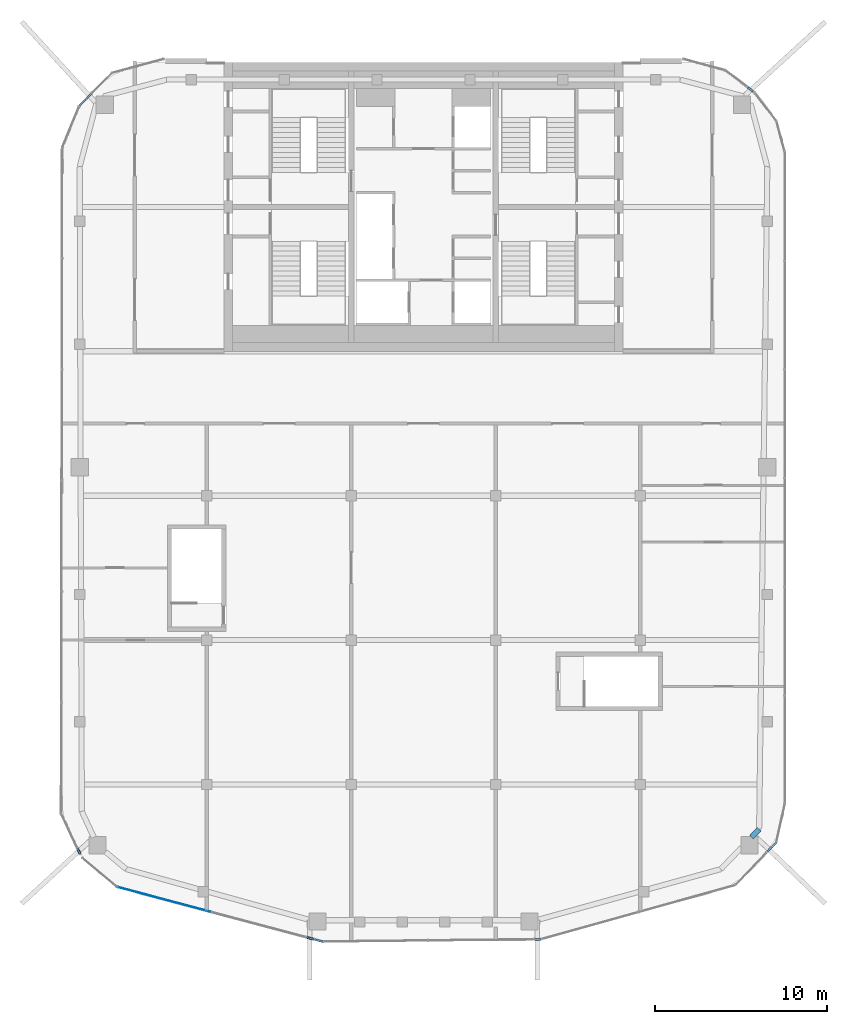
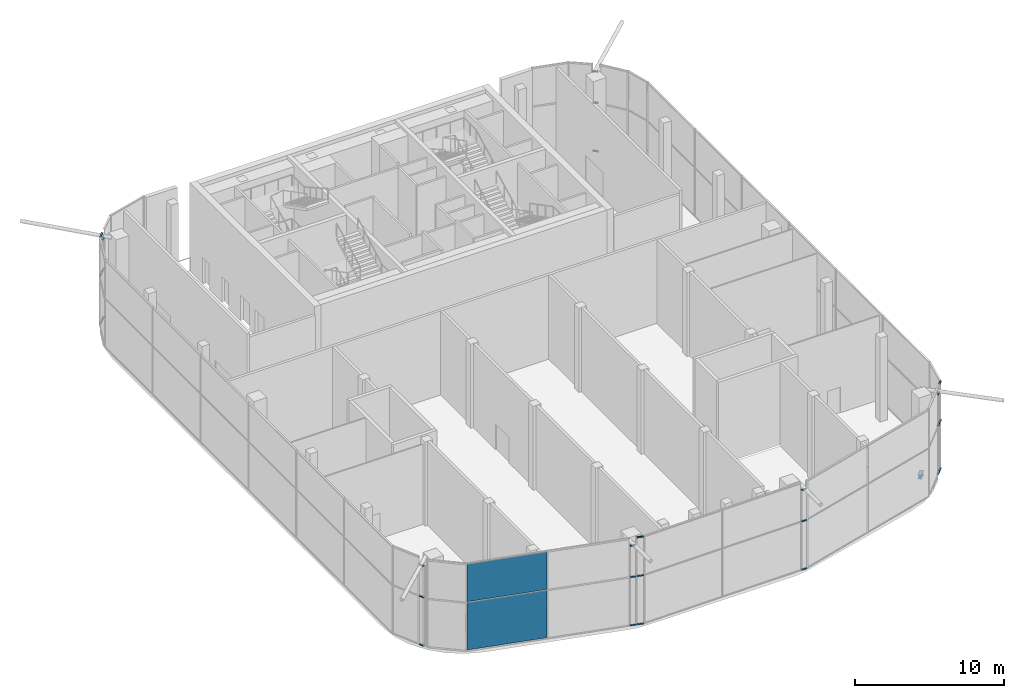
# One storey, part 12 of 23: 27 members, 2 plates, 1 beam, 10 elements without a shape of their own.
"""IFC4 building model written with IfcOpenShell, lengths in metres."""

from ifc_helpers import new_model, si_unit, direction, frame, origin, origin_2d, place, context, subcontext, project, spatial, rectangle, i_section, extrude, material, layer, layer_set, material_profile, profile_set, type_object, element, aggregate, save


model = new_model("IFC4")

# Units and contexts
model_context = context("Model", 3, precision=1e-05, world=origin(), true_north=direction((0.0, 1.0)))
body_context = subcontext(model_context, "Body", "Model", "MODEL_VIEW")
ifc_project = project(units=[si_unit("LENGTHUNIT", "METRE"), si_unit("AREAUNIT", "SQUARE_METRE"), si_unit("VOLUMEUNIT", "CUBIC_METRE"), si_unit("PLANEANGLEUNIT", "RADIAN"), si_unit("MASSUNIT", "GRAM", prefix="KILO")], contexts=[model_context])

# Site, building, storey
site_placement = place(None, origin())
site = spatial("IfcSite", under=ifc_project, at=site_placement, CompositionType="ELEMENT")
building_placement = place(site_placement, origin())
building = spatial("IfcBuilding", under=site, at=building_placement, Name="Marenta Gate Hotel Tower", CompositionType="ELEMENT")
storey_placement = place(building_placement, frame((0.0, 0.0, 288.5)))
storey = spatial("IfcBuildingStorey", under=building, at=storey_placement, Name="L66", CompositionType="ELEMENT", Elevation=288.5)

# Beam
ifc_material_1 = material(Name="Steel S355", Category="steel")
ifc_material_profile_1 = material_profile(ifc_material_1, i_section(OverallWidth=0.300048828125, OverallDepth=0.300048828125, WebThickness=0.010986328125, FlangeThickness=0.01904296875, FilletRadius=0.027099609375, at=origin_2d()), Name="HEB 300")
ifc_profile_set_1 = profile_set([ifc_material_profile_1], Name="Steel S355")
beam_type = type_object("IfcBeamType", Name="Edge beam HEB 300", PredefinedType="SPANDREL", material=ifc_profile_set_1)
beam_placement = place(storey_placement, frame((19.5244140625, -27.798583984375, -0.409912109375), z_axis=(-0.692516004309, -0.721402511623, 0.0), x_axis=(0.721402511623, -0.692516004309, 0.0)))
element("IfcBeam", 1, at=beam_placement, inside=storey, type_object=beam_type, Name="L66-EB-27", PredefinedType="SPANDREL", context=body_context, shape_type="SweptSolid", body=[
    extrude(i_section(OverallWidth=0.300048828125, OverallDepth=0.300048828125, WebThickness=0.010986328125, FlangeThickness=0.01904296875, FilletRadius=0.027099609375, at=origin_2d()), origin(), (0.0, 0.0, 1.0), 0.642333984375),
])

# Curtain wall, members
ifc_material_2 = material(Name="Tinted insulated glass in bronze anodised frame", Category="glass")
ifc_layer_1 = layer(ifc_material_2, 0.1201171875)
ifc_layer_set_1 = layer_set([ifc_layer_1], Name="Tinted insulated glass in bronze anodised frame")
curtain_wall_type = type_object("IfcCurtainWallType", Name="Sky restaurant glazing CW4", PredefinedType="NOTDEFINED", material=ifc_layer_set_1)
curtain_wall_1_placement = place(storey_placement, origin())
curtain_wall_1 = element("IfcCurtainWall", 2, at=curtain_wall_1_placement, inside=storey, type_object=curtain_wall_type, Name="CW4 run G02", PredefinedType="NOTDEFINED")
ifc_material_3 = material(Name="Bronze anodised aluminium", Category="aluminium")
ifc_material_profile_2 = material_profile(ifc_material_3, rectangle(XDim=0.1201171875, YDim=0.070068359375, at=origin_2d()), Name="Transom CW4 70x120 bronze anodised aluminium")
ifc_profile_set_2 = profile_set([ifc_material_profile_2], Name="Bronze anodised aluminium")
member_type = type_object("IfcMemberType", Name="Transom CW4 70x120 bronze anodised aluminium", PredefinedType="USERDEFINED", material=ifc_profile_set_2)
member_1_placement = place(storey_placement, frame((-19.324951171875, 14.97998046875, 0.034912109375), z_axis=(-0.707425082638, -0.706788336389, 0.0), x_axis=(0.706788336389, -0.707425082638, 0.0)))
member_1 = element("IfcMember", 3, at=member_1_placement, type_object=member_type, Name="CW4 transom 1.1", ObjectType="TRANSOM", PredefinedType="USERDEFINED", context=body_context, shape_type="SweptSolid", body=[
    extrude(rectangle(XDim=0.1201171875, YDim=0.070068359375, at=origin_2d()), origin(), (0.0, 0.0, 1.0), 0.38330078125),
])
member_2_placement = place(storey_placement, frame((-19.324951171875, 14.97998046875, 4.0), z_axis=(-0.707425082638, -0.706788336389, 0.0), x_axis=(0.706788336389, -0.707425082638, 0.0)))
member_2 = element("IfcMember", 4, at=member_2_placement, type_object=member_type, Name="CW4 transom 1.2", ObjectType="TRANSOM", PredefinedType="USERDEFINED", context=body_context, shape_type="SweptSolid", body=[
    extrude(rectangle(XDim=0.1201171875, YDim=0.070068359375, at=origin_2d()), origin(), (0.0, 0.0, 1.0), 0.38330078125),
])
member_3_placement = place(storey_placement, frame((-19.324951171875, 14.97998046875, 6.5654296875), z_axis=(-0.707425082638, -0.706788336389, 0.0), x_axis=(0.706788336389, -0.707425082638, 0.0)))
member_3 = element("IfcMember", 5, at=member_3_placement, type_object=member_type, Name="CW4 transom 1.3", ObjectType="TRANSOM", PredefinedType="USERDEFINED", context=body_context, shape_type="SweptSolid", body=[
    extrude(rectangle(XDim=0.1201171875, YDim=0.070068359375, at=origin_2d()), origin(), (0.0, 0.0, 1.0), 0.38330078125),
])
aggregate(curtain_wall_1, [member_1, member_2, member_3])

curtain_wall_2_placement = place(storey_placement, origin())
curtain_wall_2 = element("IfcCurtainWall", 6, at=curtain_wall_2_placement, inside=storey, type_object=curtain_wall_type, Name="CW4 run G03", PredefinedType="NOTDEFINED")
member_4_placement = place(storey_placement, frame((-19.6455078125, 14.659423828125, 0.034912109375), z_axis=(-0.707106781187, -0.707106781187, 0.0), x_axis=(0.707106781187, -0.707106781187, 0.0)))
member_4 = element("IfcMember", 7, at=member_4_placement, type_object=member_type, Name="CW4 transom 1.1", ObjectType="TRANSOM", PredefinedType="USERDEFINED", context=body_context, shape_type="SweptSolid", body=[
    extrude(rectangle(XDim=0.1201171875, YDim=0.070068359375, at=origin_2d()), origin(), (0.0, 0.0, 1.0), 0.506591796875),
])
member_5_placement = place(storey_placement, frame((-19.6455078125, 14.659423828125, 4.0), z_axis=(-0.707106781187, -0.707106781187, 0.0), x_axis=(0.707106781187, -0.707106781187, 0.0)))
member_5 = element("IfcMember", 8, at=member_5_placement, type_object=member_type, Name="CW4 transom 1.2", ObjectType="TRANSOM", PredefinedType="USERDEFINED", context=body_context, shape_type="SweptSolid", body=[
    extrude(rectangle(XDim=0.1201171875, YDim=0.070068359375, at=origin_2d()), origin(), (0.0, 0.0, 1.0), 0.506591796875),
])
member_6_placement = place(storey_placement, frame((-19.6455078125, 14.659423828125, 7.1650390625), z_axis=(-0.707106781187, -0.707106781187, 0.0), x_axis=(0.707106781187, -0.707106781187, 0.0)))
member_6 = element("IfcMember", 9, at=member_6_placement, type_object=member_type, Name="CW4 transom 1.3", ObjectType="TRANSOM", PredefinedType="USERDEFINED", context=body_context, shape_type="SweptSolid", body=[
    extrude(rectangle(XDim=0.1201171875, YDim=0.070068359375, at=origin_2d()), origin(), (0.0, 0.0, 1.0), 0.506591796875),
])
aggregate(curtain_wall_2, [member_4, member_5, member_6])

curtain_wall_3_placement = place(storey_placement, origin())
curtain_wall_3 = element("IfcCurtainWall", 10, at=curtain_wall_3_placement, inside=storey, type_object=curtain_wall_type, Name="CW4 run G07", PredefinedType="NOTDEFINED")
member_7_placement = place(storey_placement, frame((-20.123779296875, -28.92529296875, 0.034912109375), z_axis=(0.423443969067, -0.905922295267, 0.0), x_axis=(0.905922295267, 0.423443969067, 0.0)))
member_7 = element("IfcMember", 11, at=member_7_placement, type_object=member_type, Name="CW4 transom 1.1", ObjectType="TRANSOM", PredefinedType="USERDEFINED", context=body_context, shape_type="SweptSolid", body=[
    extrude(rectangle(XDim=0.1201171875, YDim=0.070068359375, at=origin_2d()), origin(), (0.0, 0.0, 1.0), 0.3349609375),
])
member_8_placement = place(storey_placement, frame((-20.123779296875, -28.92529296875, 4.0), z_axis=(0.423443969067, -0.905922295267, 0.0), x_axis=(0.905922295267, 0.423443969067, 0.0)))
member_8 = element("IfcMember", 12, at=member_8_placement, type_object=member_type, Name="CW4 transom 1.2", ObjectType="TRANSOM", PredefinedType="USERDEFINED", context=body_context, shape_type="SweptSolid", body=[
    extrude(rectangle(XDim=0.1201171875, YDim=0.070068359375, at=origin_2d()), origin(), (0.0, 0.0, 1.0), 0.3349609375),
])
member_9_placement = place(storey_placement, frame((-20.123779296875, -28.92529296875, 6.5654296875), z_axis=(0.423443969067, -0.905922295267, 0.0), x_axis=(0.905922295267, 0.423443969067, 0.0)))
member_9 = element("IfcMember", 13, at=member_9_placement, type_object=member_type, Name="CW4 transom 1.3", ObjectType="TRANSOM", PredefinedType="USERDEFINED", context=body_context, shape_type="SweptSolid", body=[
    extrude(rectangle(XDim=0.1201171875, YDim=0.070068359375, at=origin_2d()), origin(), (0.0, 0.0, 1.0), 0.3349609375),
])
aggregate(curtain_wall_3, [member_7, member_8, member_9])

curtain_wall_4_placement = place(storey_placement, origin())
curtain_wall_4 = element("IfcCurtainWall", 14, at=curtain_wall_4_placement, inside=storey, type_object=curtain_wall_type, Name="CW4 run G10", PredefinedType="NOTDEFINED")
member_10_placement = place(storey_placement, frame((-6.78125, -34.094482421875, 0.034912109375), z_axis=(0.966478016702, -0.256749378251, 0.0), x_axis=(0.256749378251, 0.966478016702, 0.0)))
member_10 = element("IfcMember", 15, at=member_10_placement, type_object=member_type, Name="CW4 transom 1.1", ObjectType="TRANSOM", PredefinedType="USERDEFINED", context=body_context, shape_type="SweptSolid", body=[
    extrude(rectangle(XDim=0.1201171875, YDim=0.070068359375, at=origin_2d()), origin(), (0.0, 0.0, 1.0), 0.3994140625),
])
member_11_placement = place(storey_placement, frame((-6.78125, -34.094482421875, 4.0), z_axis=(0.966478016702, -0.256749378251, 0.0), x_axis=(0.256749378251, 0.966478016702, 0.0)))
member_11 = element("IfcMember", 16, at=member_11_placement, type_object=member_type, Name="CW4 transom 1.2", ObjectType="TRANSOM", PredefinedType="USERDEFINED", context=body_context, shape_type="SweptSolid", body=[
    extrude(rectangle(XDim=0.1201171875, YDim=0.070068359375, at=origin_2d()), origin(), (0.0, 0.0, 1.0), 0.3994140625),
])
member_12_placement = place(storey_placement, frame((-6.78125, -34.094482421875, 6.5654296875), z_axis=(0.966478016702, -0.256749378251, 0.0), x_axis=(0.256749378251, 0.966478016702, 0.0)))
member_12 = element("IfcMember", 17, at=member_12_placement, type_object=member_type, Name="CW4 transom 1.3", ObjectType="TRANSOM", PredefinedType="USERDEFINED", context=body_context, shape_type="SweptSolid", body=[
    extrude(rectangle(XDim=0.1201171875, YDim=0.070068359375, at=origin_2d()), origin(), (0.0, 0.0, 1.0), 0.3994140625),
])
aggregate(curtain_wall_4, [member_10, member_11, member_12])

curtain_wall_5_placement = place(storey_placement, origin())
curtain_wall_5 = element("IfcCurtainWall", 18, at=curtain_wall_5_placement, inside=storey, type_object=curtain_wall_type, Name="CW4 run G11", PredefinedType="NOTDEFINED")
member_13_placement = place(storey_placement, frame((-6.32763671875, -34.215087890625, 0.034912109375), z_axis=(0.966362116965, -0.257185261817, 0.0), x_axis=(0.257185261817, 0.966362116965, 0.0)))
member_13 = element("IfcMember", 19, at=member_13_placement, type_object=member_type, Name="CW4 transom 1.1", ObjectType="TRANSOM", PredefinedType="USERDEFINED", context=body_context, shape_type="SweptSolid", body=[
    extrude(rectangle(XDim=0.1201171875, YDim=0.070068359375, at=origin_2d()), origin(), (0.0, 0.0, 1.0), 0.4775390625),
])
member_14_placement = place(storey_placement, frame((-6.32763671875, -34.215087890625, 4.0), z_axis=(0.966362116965, -0.257185261817, 0.0), x_axis=(0.257185261817, 0.966362116965, 0.0)))
member_14 = element("IfcMember", 20, at=member_14_placement, type_object=member_type, Name="CW4 transom 1.2", ObjectType="TRANSOM", PredefinedType="USERDEFINED", context=body_context, shape_type="SweptSolid", body=[
    extrude(rectangle(XDim=0.1201171875, YDim=0.070068359375, at=origin_2d()), origin(), (0.0, 0.0, 1.0), 0.4775390625),
])
member_15_placement = place(storey_placement, frame((-6.32763671875, -34.215087890625, 7.1650390625), z_axis=(0.966362116965, -0.257185261817, 0.0), x_axis=(0.257185261817, 0.966362116965, 0.0)))
member_15 = element("IfcMember", 21, at=member_15_placement, type_object=member_type, Name="CW4 transom 1.3", ObjectType="TRANSOM", PredefinedType="USERDEFINED", context=body_context, shape_type="SweptSolid", body=[
    extrude(rectangle(XDim=0.1201171875, YDim=0.070068359375, at=origin_2d()), origin(), (0.0, 0.0, 1.0), 0.4775390625),
])
aggregate(curtain_wall_5, [member_13, member_14, member_15])

curtain_wall_6_placement = place(storey_placement, origin())
curtain_wall_6 = element("IfcCurtainWall", 22, at=curtain_wall_6_placement, inside=storey, type_object=curtain_wall_type, Name="CW4 run G13", PredefinedType="NOTDEFINED")
member_16_placement = place(storey_placement, frame((6.465087890625, -34.20654296875, 0.034912109375), z_axis=(0.999948141039, 0.010184067636, 0.0), x_axis=(-0.010184067636, 0.999948141039, 0.0)))
member_16 = element("IfcMember", 23, at=member_16_placement, type_object=member_type, Name="CW4 transom 1.1", ObjectType="TRANSOM", PredefinedType="USERDEFINED", context=body_context, shape_type="SweptSolid", body=[
    extrude(rectangle(XDim=0.1201171875, YDim=0.070068359375, at=origin_2d()), origin(), (0.0, 0.0, 1.0), 0.383544921875),
])
member_17_placement = place(storey_placement, frame((6.465087890625, -34.20654296875, 4.0), z_axis=(0.999948141039, 0.010184067636, 0.0), x_axis=(-0.010184067636, 0.999948141039, 0.0)))
member_17 = element("IfcMember", 24, at=member_17_placement, type_object=member_type, Name="CW4 transom 1.2", ObjectType="TRANSOM", PredefinedType="USERDEFINED", context=body_context, shape_type="SweptSolid", body=[
    extrude(rectangle(XDim=0.1201171875, YDim=0.070068359375, at=origin_2d()), origin(), (0.0, 0.0, 1.0), 0.383544921875),
])
member_18_placement = place(storey_placement, frame((6.465087890625, -34.20654296875, 6.5654296875), z_axis=(0.999948141039, 0.010184067636, 0.0), x_axis=(-0.010184067636, 0.999948141039, 0.0)))
member_18 = element("IfcMember", 25, at=member_18_placement, type_object=member_type, Name="CW4 transom 1.3", ObjectType="TRANSOM", PredefinedType="USERDEFINED", context=body_context, shape_type="SweptSolid", body=[
    extrude(rectangle(XDim=0.1201171875, YDim=0.070068359375, at=origin_2d()), origin(), (0.0, 0.0, 1.0), 0.383544921875),
])
aggregate(curtain_wall_6, [member_16, member_17, member_18])

curtain_wall_7_placement = place(storey_placement, origin())
curtain_wall_7 = element("IfcCurtainWall", 26, at=curtain_wall_7_placement, inside=storey, type_object=curtain_wall_type, Name="CW4 run G16", PredefinedType="NOTDEFINED")
member_19_placement = place(storey_placement, frame((20.001953125, -29.1064453125, 0.034912109375), z_axis=(0.692292937844, 0.721616579779, 0.0), x_axis=(-0.721616579779, 0.692292937844, 0.0)))
member_19 = element("IfcMember", 27, at=member_19_placement, type_object=member_type, Name="CW4 transom 1.1", ObjectType="TRANSOM", PredefinedType="USERDEFINED", context=body_context, shape_type="SweptSolid", body=[
    extrude(rectangle(XDim=0.1201171875, YDim=0.070068359375, at=origin_2d()), origin(), (0.0, 0.0, 1.0), 0.383056640625),
])
member_20_placement = place(storey_placement, frame((20.001953125, -29.1064453125, 4.0), z_axis=(0.692292937844, 0.721616579779, 0.0), x_axis=(-0.721616579779, 0.692292937844, 0.0)))
member_20 = element("IfcMember", 28, at=member_20_placement, type_object=member_type, Name="CW4 transom 1.2", ObjectType="TRANSOM", PredefinedType="USERDEFINED", context=body_context, shape_type="SweptSolid", body=[
    extrude(rectangle(XDim=0.1201171875, YDim=0.070068359375, at=origin_2d()), origin(), (0.0, 0.0, 1.0), 0.383056640625),
])
member_21_placement = place(storey_placement, frame((20.001953125, -29.1064453125, 6.5654296875), z_axis=(0.692292937844, 0.721616579779, 0.0), x_axis=(-0.721616579779, 0.692292937844, 0.0)))
member_21 = element("IfcMember", 29, at=member_21_placement, type_object=member_type, Name="CW4 transom 1.3", ObjectType="TRANSOM", PredefinedType="USERDEFINED", context=body_context, shape_type="SweptSolid", body=[
    extrude(rectangle(XDim=0.1201171875, YDim=0.070068359375, at=origin_2d()), origin(), (0.0, 0.0, 1.0), 0.383056640625),
])
aggregate(curtain_wall_7, [member_19, member_20, member_21])

curtain_wall_8_placement = place(storey_placement, origin())
curtain_wall_8 = element("IfcCurtainWall", 30, at=curtain_wall_8_placement, inside=storey, type_object=curtain_wall_type, Name="CW4 run G17", PredefinedType="NOTDEFINED")
member_22_placement = place(storey_placement, frame((20.315673828125, -28.77978515625, 0.034912109375), z_axis=(0.692084717827, 0.721816280884, 0.0), x_axis=(-0.721816280884, 0.692084717827, 0.0)))
member_22 = element("IfcMember", 31, at=member_22_placement, type_object=member_type, Name="CW4 transom 1.1", ObjectType="TRANSOM", PredefinedType="USERDEFINED", context=body_context, shape_type="SweptSolid", body=[
    extrude(rectangle(XDim=0.1201171875, YDim=0.070068359375, at=origin_2d()), origin(), (0.0, 0.0, 1.0), 0.295654296875),
])
member_23_placement = place(storey_placement, frame((20.315673828125, -28.77978515625, 4.0), z_axis=(0.692084717827, 0.721816280884, 0.0), x_axis=(-0.721816280884, 0.692084717827, 0.0)))
member_23 = element("IfcMember", 32, at=member_23_placement, type_object=member_type, Name="CW4 transom 1.2", ObjectType="TRANSOM", PredefinedType="USERDEFINED", context=body_context, shape_type="SweptSolid", body=[
    extrude(rectangle(XDim=0.1201171875, YDim=0.070068359375, at=origin_2d()), origin(), (0.0, 0.0, 1.0), 0.295654296875),
])
member_24_placement = place(storey_placement, frame((20.315673828125, -28.77978515625, 7.1650390625), z_axis=(0.692084717827, 0.721816280884, 0.0), x_axis=(-0.721816280884, 0.692084717827, 0.0)))
member_24 = element("IfcMember", 33, at=member_24_placement, type_object=member_type, Name="CW4 transom 1.3", ObjectType="TRANSOM", PredefinedType="USERDEFINED", context=body_context, shape_type="SweptSolid", body=[
    extrude(rectangle(XDim=0.1201171875, YDim=0.070068359375, at=origin_2d()), origin(), (0.0, 0.0, 1.0), 0.295654296875),
])
aggregate(curtain_wall_8, [member_22, member_23, member_24])

curtain_wall_9_placement = place(storey_placement, origin())
curtain_wall_9 = element("IfcCurtainWall", 34, at=curtain_wall_9_placement, inside=storey, type_object=curtain_wall_type, Name="CW4 run G22", PredefinedType="NOTDEFINED")
member_25_placement = place(storey_placement, frame((19.1708984375, 15.115234375, 0.034912109375), z_axis=(-0.793112415171, 0.609075280159, 0.0), x_axis=(-0.609075280159, -0.793112415171, 0.0)))
member_25 = element("IfcMember", 35, at=member_25_placement, type_object=member_type, Name="CW4 transom 1.1", ObjectType="TRANSOM", PredefinedType="USERDEFINED", context=body_context, shape_type="SweptSolid", body=[
    extrude(rectangle(XDim=0.1201171875, YDim=0.070068359375, at=origin_2d()), origin(), (0.0, 0.0, 1.0), 0.39013671875),
])
member_26_placement = place(storey_placement, frame((19.1708984375, 15.115234375, 4.0), z_axis=(-0.793112415171, 0.609075280159, 0.0), x_axis=(-0.609075280159, -0.793112415171, 0.0)))
member_26 = element("IfcMember", 36, at=member_26_placement, type_object=member_type, Name="CW4 transom 1.2", ObjectType="TRANSOM", PredefinedType="USERDEFINED", context=body_context, shape_type="SweptSolid", body=[
    extrude(rectangle(XDim=0.1201171875, YDim=0.070068359375, at=origin_2d()), origin(), (0.0, 0.0, 1.0), 0.39013671875),
])
member_27_placement = place(storey_placement, frame((19.1708984375, 15.115234375, 6.5654296875), z_axis=(-0.793112415171, 0.609075280159, 0.0), x_axis=(-0.609075280159, -0.793112415171, 0.0)))
member_27 = element("IfcMember", 37, at=member_27_placement, type_object=member_type, Name="CW4 transom 1.3", ObjectType="TRANSOM", PredefinedType="USERDEFINED", context=body_context, shape_type="SweptSolid", body=[
    extrude(rectangle(XDim=0.1201171875, YDim=0.070068359375, at=origin_2d()), origin(), (0.0, 0.0, 1.0), 0.39013671875),
])
aggregate(curtain_wall_9, [member_25, member_26, member_27])

# Curtain wall, plates
curtain_wall_10_placement = place(storey_placement, origin())
curtain_wall_10 = element("IfcCurtainWall", 38, at=curtain_wall_10_placement, inside=storey, type_object=curtain_wall_type, Name="CW4 run G09", PredefinedType="NOTDEFINED")
ifc_material_4 = material(Name="Tinted insulated glass", Category="glass")
ifc_layer_2 = layer(ifc_material_4, 0.030029296875)
ifc_layer_set_2 = layer_set([ifc_layer_2], Name="Tinted insulated glass")
plate_type = type_object("IfcPlateType", Name="Glass panel CW4 30 mm tinted insulated unit", PredefinedType="CURTAIN_PANEL", material=ifc_layer_set_2)
plate_1_placement = place(storey_placement, frame((-15.07177734375, -31.888427734375, 0.070068359375), z_axis=(0.0, 0.0, 1.0), x_axis=(0.966375096034, -0.257136488591, 0.0)))
plate_1 = element("IfcPlate", 39, at=plate_1_placement, type_object=plate_type, Name="CW4 panel 1.1", PredefinedType="CURTAIN_PANEL", context=body_context, shape_type="SweptSolid", body=[
    extrude(rectangle(XDim=5.579345703125, YDim=0.030029296875, at=origin_2d()), origin(), (0.0, 0.0, 1.0), 3.89501953125),
])
plate_2_placement = place(storey_placement, frame((-15.07177734375, -31.888427734375, 4.03515625), z_axis=(0.0, 0.0, 1.0), x_axis=(0.966375096034, -0.257136488591, 0.0)))
plate_2 = element("IfcPlate", 40, at=plate_2_placement, type_object=plate_type, Name="CW4 panel 1.2", PredefinedType="CURTAIN_PANEL", context=body_context, shape_type="SweptSolid", body=[
    extrude(rectangle(XDim=5.579345703125, YDim=0.030029296875, at=origin_2d()), origin(), (0.0, 0.0, 1.0), 3.094970703125),
])
aggregate(curtain_wall_10, [plate_1, plate_2])

save(model, "model.ifc")
